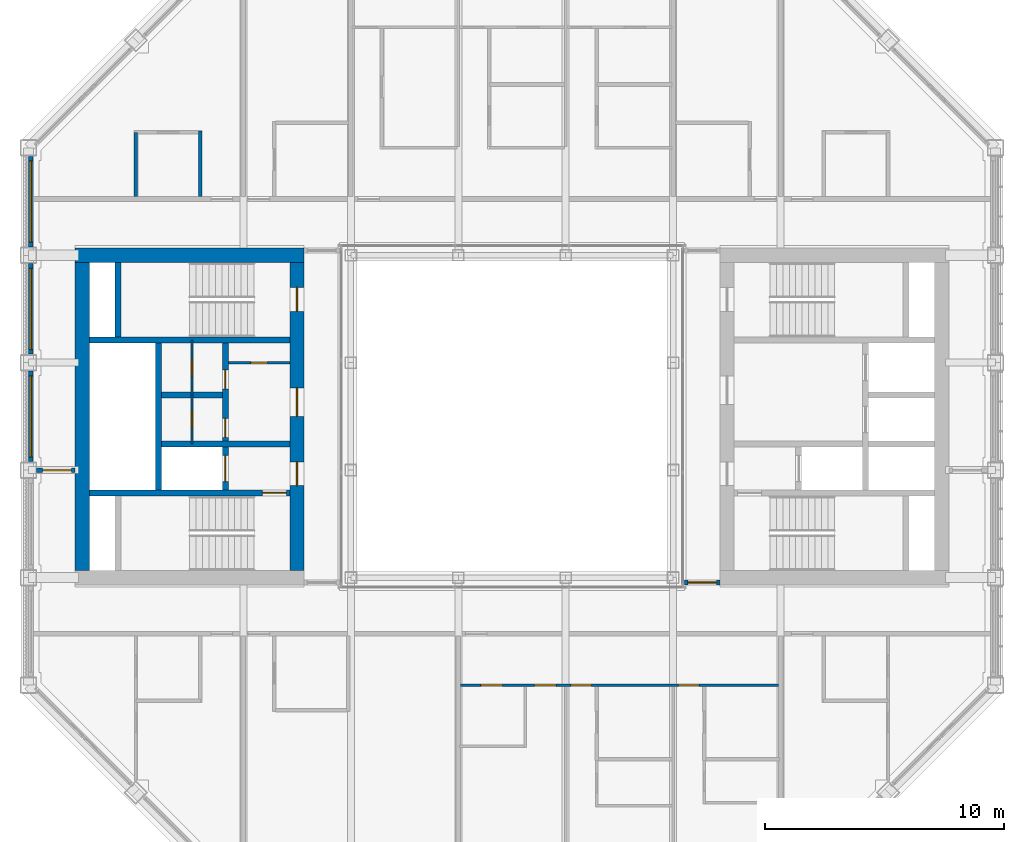
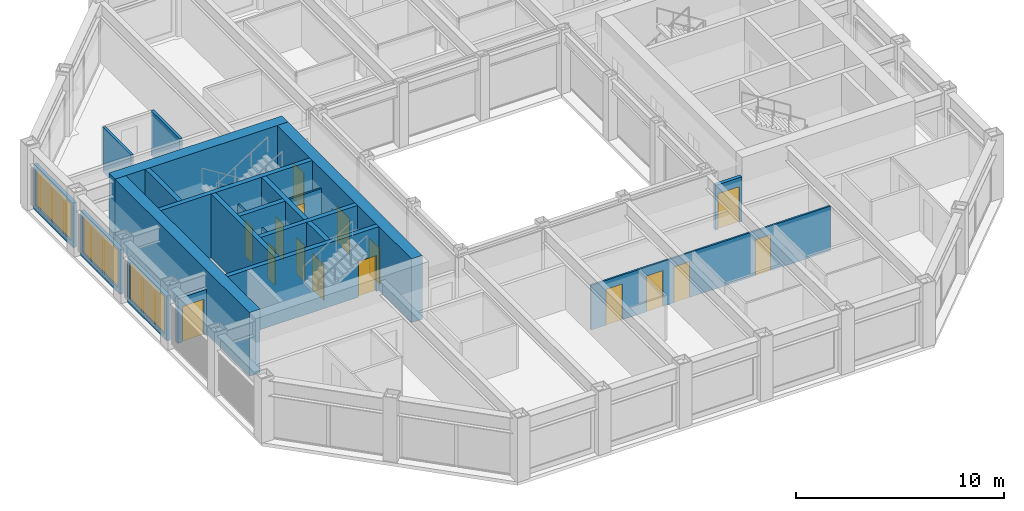
# One storey, part 10 of 17: 21 walls, 16 doors, 3 windows, 19 openings.
"""IFC4 building model written with IfcOpenShell, lengths in metres."""

from ifc_helpers import new_model, si_unit, direction, frame, frame_2d, origin, place, context, subcontext, project, spatial, rectangle, extrude, material, layer, layer_set, type_object, element, fill, save


model = new_model("IFC4")

# Units and contexts
model_context = context("Model", 3, precision=1e-05, world=origin(), true_north=direction((0.0, 1.0)))
body_context = subcontext(model_context, "Body", "Model", "MODEL_VIEW")
ifc_project = project(units=[si_unit("LENGTHUNIT", "METRE"), si_unit("AREAUNIT", "SQUARE_METRE"), si_unit("VOLUMEUNIT", "CUBIC_METRE"), si_unit("PLANEANGLEUNIT", "RADIAN"), si_unit("MASSUNIT", "GRAM", prefix="KILO")], contexts=[model_context])

# Site, building, storey
site_placement = place(None, origin())
site = spatial("IfcSite", under=ifc_project, at=site_placement, CompositionType="ELEMENT")
building_placement = place(site_placement, origin())
building = spatial("IfcBuilding", under=site, at=building_placement, Name="Msasa Ring Tower", CompositionType="ELEMENT")
storey_placement = place(building_placement, frame((0.0, 0.0, 238.300048828125)))
storey = spatial("IfcBuildingStorey", under=building, at=storey_placement, Name="L62", CompositionType="ELEMENT", Elevation=238.300048828125)

# Wall
ifc_material_1 = material(Name="Concrete C60/75", Category="concrete")
ifc_layer_1 = layer(ifc_material_1, 0.60009765625)
ifc_layer_set_1 = layer_set([ifc_layer_1], Name="CW3 CORE WALL 600")
wall_type_1 = type_object("IfcWallType", Name="CW3 CORE WALL 600", PredefinedType="SHEAR", material=ifc_layer_set_1)
wall_1_placement = place(storey_placement, frame((-8.699951171875, 6.75, 0.0), z_axis=(0.0, 0.0, 1.0), x_axis=(-1.0, 0.0, 0.0)))
element("IfcWall", 1, at=wall_1_placement, inside=storey, type_object=wall_type_1, Name="W core wall N L62", PredefinedType="SHEAR", context=body_context, shape_type="SweptSolid", body=[
    extrude(rectangle(XDim=9.60009765625, YDim=0.60009765625, at=frame_2d((4.800048828125, 0.0))), origin(), (0.0, 0.0, 1.0), 3.75),
])

# Wall, openings, doors
wall_2_placement = place(storey_placement, frame((-9.0, -6.449951171875, 0.0), z_axis=(0.0, 0.0, 1.0), x_axis=(0.0, 1.0, 0.0)))
wall_2 = element("IfcWall", 2, at=wall_2_placement, inside=storey, type_object=wall_type_1, Name="W core wall W L62", PredefinedType="SHEAR", context=body_context, shape_type="SweptSolid", body=[
    extrude(rectangle(XDim=12.89990234375, YDim=0.60009765625, at=frame_2d((6.449951171875, 0.0))), origin(), (0.0, 0.0, 1.0), 3.75),
])
opening_1_placement = place(wall_2_placement, frame((3.550048828125, 0.0, 0.0)))
opening_1 = element("IfcOpeningElement", 3, at=opening_1_placement, cuts=wall_2, Name="Opening SD-031", PredefinedType="OPENING", context=body_context, shape_type="SweptSolid", body=[
    extrude(rectangle(XDim=1.0, YDim=2.10009765625, at=frame_2d((0.5, 1.050048828125))), frame((0.0, 0.31005859375, 0.0), z_axis=(0.0, -1.0, 0.0), x_axis=(1.0, 0.0, 0.0)), (0.0, 0.0, 1.0), 0.6201171875),
])
opening_2_placement = place(wall_2_placement, frame((6.449951171875, 0.0, 0.0)))
opening_2 = element("IfcOpeningElement", 4, at=opening_2_placement, cuts=wall_2, Name="Opening SD-026", PredefinedType="OPENING", context=body_context, shape_type="SweptSolid", body=[
    extrude(rectangle(XDim=1.199951171875, YDim=2.10009765625, at=frame_2d((0.60009765625, 1.050048828125))), frame((0.0, 0.31005859375, 0.0), z_axis=(0.0, -1.0, 0.0), x_axis=(1.0, 0.0, 0.0)), (0.0, 0.0, 1.0), 0.6201171875),
])
opening_3_placement = place(wall_2_placement, frame((10.85009765625, 0.0, 0.0)))
opening_3 = element("IfcOpeningElement", 5, at=opening_3_placement, cuts=wall_2, Name="Opening SD-020", PredefinedType="OPENING", context=body_context, shape_type="SweptSolid", body=[
    extrude(rectangle(XDim=1.0, YDim=2.10009765625, at=frame_2d((0.5, 1.050048828125))), frame((0.0, 0.31005859375, 0.0), z_axis=(0.0, -1.0, 0.0), x_axis=(1.0, 0.0, 0.0)), (0.0, 0.0, 1.0), 0.6201171875),
])
ifc_material_2 = material(Name="Timber door leaf in a steel frame", Category="steel")
door_type_1 = type_object("IfcDoorType", Name="D4 LOBBY DOOR 1000x2100", OperationType="SINGLE_SWING_LEFT", PredefinedType="DOOR", material=ifc_material_2)
door_1_placement = place(opening_1_placement, origin())
door_1 = element("IfcDoor", 6, at=door_1_placement, inside=storey, type_object=door_type_1, Name="Door L62-WFFL", OperationType="SINGLE_SWING_LEFT", OverallHeight=2.10009765625, OverallWidth=1.0, PredefinedType="DOOR", context=body_context, shape_type="SweptSolid", body=[
    extrude(rectangle(XDim=1.0, YDim=2.10009765625, at=frame_2d((0.5, 1.050048828125))), frame((0.0, 0.02490234375, 0.0), z_axis=(0.0, -1.0, 0.0), x_axis=(1.0, 0.0, 0.0)), (0.0, 0.0, 1.0), 0.050048828125),
])
fill(opening_1, door_1)
ifc_material_3 = material(Name="Timber door leaf in a steel frame", Category="steel")
door_type_2 = type_object("IfcDoorType", Name="D5 WIDE LOBBY DOOR 1200x2100", OperationType="SINGLE_SWING_LEFT", PredefinedType="DOOR", material=ifc_material_3)
door_2_placement = place(opening_2_placement, origin())
door_2 = element("IfcDoor", 7, at=door_2_placement, inside=storey, type_object=door_type_2, Name="Door L62-WLL", OperationType="SINGLE_SWING_RIGHT", OverallHeight=2.10009765625, OverallWidth=1.199951171875, PredefinedType="DOOR", context=body_context, shape_type="SweptSolid", body=[
    extrude(rectangle(XDim=1.199951171875, YDim=2.10009765625, at=frame_2d((0.60009765625, 1.050048828125))), frame((0.0, 0.02490234375, 0.0), z_axis=(0.0, -1.0, 0.0), x_axis=(1.0, 0.0, 0.0)), (0.0, 0.0, 1.0), 0.050048828125),
])
fill(opening_2, door_2)
ifc_material_4 = material(Name="Timber door leaf in a steel frame", Category="steel")
door_type_3 = type_object("IfcDoorType", Name="D6 STAIR DOOR 1000x2100", OperationType="SINGLE_SWING_LEFT", PredefinedType="DOOR", material=ifc_material_4)
door_3_placement = place(opening_3_placement, origin())
door_3 = element("IfcDoor", 8, at=door_3_placement, inside=storey, type_object=door_type_3, Name="Door L62-WSTB", OperationType="SINGLE_SWING_RIGHT", OverallHeight=2.10009765625, OverallWidth=1.0, PredefinedType="DOOR", context=body_context, shape_type="SweptSolid", body=[
    extrude(rectangle(XDim=1.0, YDim=2.10009765625, at=frame_2d((0.5, 1.050048828125))), frame((0.0, 0.02490234375, 0.0), z_axis=(0.0, -1.0, 0.0), x_axis=(1.0, 0.0, 0.0)), (0.0, 0.0, 1.0), 0.050048828125),
])
fill(opening_3, door_3)

# Wall
wall_3_placement = place(storey_placement, frame((-18.0, -6.449951171875, 0.0), z_axis=(0.0, 0.0, 1.0), x_axis=(0.0, 1.0, 0.0)))
element("IfcWall", 9, at=wall_3_placement, inside=storey, type_object=wall_type_1, Name="W core wall E L62", PredefinedType="SHEAR", context=body_context, shape_type="SweptSolid", body=[
    extrude(rectangle(XDim=12.89990234375, YDim=0.60009765625, at=frame_2d((6.449951171875, 0.0))), origin(), (0.0, 0.0, 1.0), 3.75),
])

# Wall, opening, door
ifc_material_5 = material(Name="Concrete C60/75", Category="concrete")
ifc_layer_2 = layer(ifc_material_5, 0.25)
ifc_layer_set_2 = layer_set([ifc_layer_2], Name="CW4 CORE INNER WALL 250")
wall_type_2 = type_object("IfcWallType", Name="CW4 CORE INNER WALL 250", PredefinedType="SHEAR", material=ifc_layer_set_2)
wall_4_placement = place(storey_placement, frame((-9.300048828125, -3.199951171875, 0.0), z_axis=(0.0, 0.0, 1.0), x_axis=(-1.0, 0.0, 0.0)))
wall_4 = element("IfcWall", 10, at=wall_4_placement, inside=storey, type_object=wall_type_2, Name="W core wall STAIRA L62", PredefinedType="SHEAR", context=body_context, shape_type="SweptSolid", body=[
    extrude(rectangle(XDim=8.39990234375, YDim=0.25, at=frame_2d((4.199951171875, 0.0))), origin(), (0.0, 0.0, 1.0), 3.75),
])
opening_4_placement = place(wall_4_placement, frame((0.14990234375, 0.0, 0.0)))
opening_4 = element("IfcOpeningElement", 11, at=opening_4_placement, cuts=wall_4, Name="Opening SD-033", PredefinedType="OPENING", context=body_context, shape_type="SweptSolid", body=[
    extrude(rectangle(XDim=1.0, YDim=2.10009765625, at=frame_2d((0.5, 1.050048828125))), frame((0.0, 0.135009765625, 0.0), z_axis=(0.0, -1.0, 0.0), x_axis=(1.0, 0.0, 0.0)), (0.0, 0.0, 1.0), 0.27001953125),
])
door_4_placement = place(opening_4_placement, origin())
door_4 = element("IfcDoor", 12, at=door_4_placement, inside=storey, type_object=door_type_3, Name="Door L62-WSTA", OperationType="SINGLE_SWING_LEFT", OverallHeight=2.10009765625, OverallWidth=1.0, PredefinedType="DOOR", context=body_context, shape_type="SweptSolid", body=[
    extrude(rectangle(XDim=1.0, YDim=2.10009765625, at=frame_2d((0.5, 1.050048828125))), frame((0.0, 0.02490234375, 0.0), z_axis=(0.0, -1.0, 0.0), x_axis=(1.0, 0.0, 0.0)), (0.0, 0.0, 1.0), 0.050048828125),
])
fill(opening_4, door_4)

# Walls
wall_5_placement = place(storey_placement, frame((-9.300048828125, 3.199951171875, 0.0), z_axis=(0.0, 0.0, 1.0), x_axis=(-1.0, 0.0, 0.0)))
element("IfcWall", 13, at=wall_5_placement, inside=storey, type_object=wall_type_2, Name="W core wall STAIRB L62", PredefinedType="SHEAR", context=body_context, shape_type="SweptSolid", body=[
    extrude(rectangle(XDim=8.39990234375, YDim=0.25, at=frame_2d((4.199951171875, 0.0))), origin(), (0.0, 0.0, 1.0), 3.75),
])
wall_6_placement = place(storey_placement, frame((-16.5, 3.324951171875, 0.0), z_axis=(0.0, 0.0, 1.0), x_axis=(0.0, 1.0, 0.0)))
element("IfcWall", 14, at=wall_6_placement, inside=storey, type_object=wall_type_2, Name="W core wall RISERB L62", PredefinedType="SHEAR", context=body_context, shape_type="SweptSolid", body=[
    extrude(rectangle(XDim=3.125, YDim=0.25, at=frame_2d((1.5625, 0.0))), origin(), (0.0, 0.0, 1.0), 3.75),
])
wall_7_placement = place(storey_placement, frame((-9.300048828125, -1.14990234375, 0.0), z_axis=(0.0, 0.0, 1.0), x_axis=(-1.0, 0.0, 0.0)))
element("IfcWall", 15, at=wall_7_placement, inside=storey, type_object=wall_type_2, Name="W core wall FFL L62", PredefinedType="SHEAR", context=body_context, shape_type="SweptSolid", body=[
    extrude(rectangle(XDim=5.375, YDim=0.25, at=frame_2d((2.6875, 0.0))), origin(), (0.0, 0.0, 1.0), 3.75),
])

# Wall, openings, doors
wall_8_placement = place(storey_placement, frame((-12.0, -3.074951171875, 0.0), z_axis=(0.0, 0.0, 1.0), x_axis=(0.0, 1.0, 0.0)))
wall_8 = element("IfcWall", 16, at=wall_8_placement, inside=storey, type_object=wall_type_2, Name="W core wall LOBBY L62", PredefinedType="SHEAR", context=body_context, shape_type="SweptSolid", body=[
    extrude(rectangle(XDim=6.14990234375, YDim=0.25, at=frame_2d((3.074951171875, 0.0))), origin(), (0.0, 0.0, 1.0), 3.75),
])
opening_5_placement = place(wall_8_placement, frame((2.199951171875, 0.0, 0.0)))
opening_5 = element("IfcOpeningElement", 17, at=opening_5_placement, cuts=wall_8, Name="Opening SD-028", PredefinedType="OPENING", context=body_context, shape_type="SweptSolid", body=[
    extrude(rectangle(XDim=0.800048828125, YDim=2.10009765625, at=frame_2d((0.39990234375, 1.050048828125))), frame((0.0, 0.135009765625, 0.0), z_axis=(0.0, -1.0, 0.0), x_axis=(1.0, 0.0, 0.0)), (0.0, 0.0, 1.0), 0.27001953125),
])
opening_6_placement = place(wall_8_placement, frame((4.22509765625, 0.0, 0.0)))
opening_6 = element("IfcOpeningElement", 18, at=opening_6_placement, cuts=wall_8, Name="Opening SD-024", PredefinedType="OPENING", context=body_context, shape_type="SweptSolid", body=[
    extrude(rectangle(XDim=0.800048828125, YDim=2.10009765625, at=frame_2d((0.39990234375, 1.050048828125))), frame((0.0, 0.135009765625, 0.0), z_axis=(0.0, -1.0, 0.0), x_axis=(1.0, 0.0, 0.0)), (0.0, 0.0, 1.0), 0.27001953125),
])
opening_7_placement = place(wall_8_placement, frame((0.35009765625, 0.0, 0.0)))
opening_7 = element("IfcOpeningElement", 19, at=opening_7_placement, cuts=wall_8, Name="Opening LD1", PredefinedType="OPENING", context=body_context, shape_type="SweptSolid", body=[
    extrude(rectangle(XDim=1.10009765625, YDim=2.10009765625, at=frame_2d((0.550048828125, 1.050048828125))), frame((0.0, 0.135009765625, 0.0), z_axis=(0.0, -1.0, 0.0), x_axis=(1.0, 0.0, 0.0)), (0.0, 0.0, 1.0), 0.27001953125),
])
ifc_material_6 = material(Name="Timber door leaf in a steel frame", Category="steel")
door_type_4 = type_object("IfcDoorType", Name="D9 NARROW SERVICE DOOR 800x2100", OperationType="SINGLE_SWING_LEFT", PredefinedType="DOOR", material=ifc_material_6)
door_5_placement = place(opening_5_placement, origin())
door_5 = element("IfcDoor", 20, at=door_5_placement, inside=storey, type_object=door_type_4, Name="Door L62-WR1", OperationType="SINGLE_SWING_LEFT", OverallHeight=2.10009765625, OverallWidth=0.800048828125, PredefinedType="DOOR", context=body_context, shape_type="SweptSolid", body=[
    extrude(rectangle(XDim=0.800048828125, YDim=2.10009765625, at=frame_2d((0.39990234375, 1.050048828125))), frame((0.0, 0.02490234375, 0.0), z_axis=(0.0, -1.0, 0.0), x_axis=(1.0, 0.0, 0.0)), (0.0, 0.0, 1.0), 0.050048828125),
])
fill(opening_5, door_5)
door_6_placement = place(opening_6_placement, origin())
door_6 = element("IfcDoor", 21, at=door_6_placement, inside=storey, type_object=door_type_4, Name="Door L62-WR2", OperationType="SINGLE_SWING_RIGHT", OverallHeight=2.10009765625, OverallWidth=0.800048828125, PredefinedType="DOOR", context=body_context, shape_type="SweptSolid", body=[
    extrude(rectangle(XDim=0.800048828125, YDim=2.10009765625, at=frame_2d((0.39990234375, 1.050048828125))), frame((0.0, 0.02490234375, 0.0), z_axis=(0.0, -1.0, 0.0), x_axis=(1.0, 0.0, 0.0)), (0.0, 0.0, 1.0), 0.050048828125),
])
fill(opening_6, door_6)
ifc_material_7 = material(Name="Stainless steel lift landing door", Category="steel")
door_type_5 = type_object("IfcDoorType", Name="LD1 LIFT LANDING DOOR 1100x2100", OperationType="DOUBLE_DOOR_SLIDING", PredefinedType="DOOR", material=ifc_material_7)
door_7_placement = place(opening_7_placement, origin())
door_7 = element("IfcDoor", 22, at=door_7_placement, inside=storey, type_object=door_type_5, Name="Lift landing door FL-W L62", OperationType="DOUBLE_DOOR_SLIDING", OverallHeight=2.10009765625, OverallWidth=1.10009765625, PredefinedType="DOOR", context=body_context, shape_type="SweptSolid", body=[
    extrude(rectangle(XDim=1.10009765625, YDim=2.10009765625, at=frame_2d((0.550048828125, 1.050048828125))), frame((0.0, 0.02490234375, 0.0), z_axis=(0.0, -1.0, 0.0), x_axis=(1.0, 0.0, 0.0)), (0.0, 0.0, 1.0), 0.050048828125),
])
fill(opening_7, door_7)

# Walls
wall_9_placement = place(storey_placement, frame((-14.800048828125, -3.074951171875, 0.0), z_axis=(0.0, 0.0, 1.0), x_axis=(0.0, 1.0, 0.0)))
element("IfcWall", 23, at=wall_9_placement, inside=storey, type_object=wall_type_2, Name="W core wall SHAFT L62", PredefinedType="SHEAR", context=body_context, shape_type="SweptSolid", body=[
    extrude(rectangle(XDim=6.14990234375, YDim=0.25, at=frame_2d((3.074951171875, 0.0))), origin(), (0.0, 0.0, 1.0), 3.75),
])
wall_10_placement = place(storey_placement, frame((-12.125, 0.89990234375, 0.0), z_axis=(0.0, 0.0, 1.0), x_axis=(-1.0, 0.0, 0.0)))
element("IfcWall", 24, at=wall_10_placement, inside=storey, type_object=wall_type_2, Name="W core wall LIFT1 L62", PredefinedType="SHEAR", context=body_context, shape_type="SweptSolid", body=[
    extrude(rectangle(XDim=2.550048828125, YDim=0.25, at=frame_2d((1.27490234375, 0.0))), origin(), (0.0, 0.0, 1.0), 3.75),
])

# Wall, opening, window
ifc_material_8 = material(Name="Terracotta rainscreen on blockwork", Category="masonry")
ifc_layer_3 = layer(ifc_material_8, 0.199951171875)
ifc_layer_set_3 = layer_set([ifc_layer_3], Name="FW1 TERRACOTTA-LINED INFILL BAY WALL 200")
wall_type_3 = type_object("IfcWallType", Name="FW1 TERRACOTTA-LINED INFILL BAY WALL 200", PredefinedType="SOLIDWALL", material=ifc_layer_set_3)
wall_11_placement = place(storey_placement, frame((-20.14990234375, -1.89501953125, 0.0), z_axis=(0.0, 0.0, 1.0), x_axis=(0.0, 1.0, 0.0)))
wall_11 = element("IfcWall", 25, at=wall_11_placement, inside=storey, type_object=wall_type_3, Name="Infill bay wall W L62 23", PredefinedType="SOLIDWALL", context=body_context, shape_type="SweptSolid", body=[
    extrude(rectangle(XDim=3.7900390625, YDim=0.199951171875, at=frame_2d((1.89501953125, 0.0))), origin(), (0.0, 0.0, 1.0), 2.62890625),
])
opening_8_placement = place(wall_11_placement, frame((0.195068359375, 0.0, 0.300048828125)))
opening_8 = element("IfcOpeningElement", 26, at=opening_8_placement, cuts=wall_11, Name="Opening WN3", PredefinedType="OPENING", context=body_context, shape_type="SweptSolid", body=[
    extrude(rectangle(XDim=3.39990234375, YDim=2.178955078125, at=frame_2d((1.699951171875, 1.08935546875))), frame((0.0, 0.10986328125, 0.0), z_axis=(0.0, -1.0, 0.0), x_axis=(1.0, 0.0, 0.0)), (0.0, 0.0, 1.0), 0.219970703125),
])
ifc_material_9 = material(Name="Aluminium frame with clear glass", Category="aluminium")
window_type = type_object("IfcWindowType", Name="WN3 SUITE WINDOW 3400x2179", PartitioningType="SINGLE_PANEL", PredefinedType="WINDOW", material=ifc_material_9)
window_1_placement = place(opening_8_placement, origin())
window_1 = element("IfcWindow", 27, at=window_1_placement, inside=storey, type_object=window_type, Name="Window W L62 23", OverallHeight=2.178955078125, OverallWidth=3.39990234375, PartitioningType="SINGLE_PANEL", PredefinedType="WINDOW", context=body_context, shape_type="SweptSolid", body=[
    extrude(rectangle(XDim=3.39990234375, YDim=2.178955078125, at=frame_2d((1.699951171875, 1.08935546875))), frame((0.0, 0.030029296875, 0.0), z_axis=(0.0, -1.0, 0.0), x_axis=(1.0, 0.0, 0.0)), (0.0, 0.0, 1.0), 0.06005859375),
])
fill(opening_8, window_1)

wall_12_placement = place(storey_placement, frame((-20.14990234375, 2.60498046875, 0.0), z_axis=(0.0, 0.0, 1.0), x_axis=(0.0, 1.0, 0.0)))
wall_12 = element("IfcWall", 28, at=wall_12_placement, inside=storey, type_object=wall_type_3, Name="Infill bay wall W L62 24", PredefinedType="SOLIDWALL", context=body_context, shape_type="SweptSolid", body=[
    extrude(rectangle(XDim=3.7900390625, YDim=0.199951171875, at=frame_2d((1.89501953125, 0.0))), origin(), (0.0, 0.0, 1.0), 2.62890625),
])
opening_9_placement = place(wall_12_placement, frame((0.195068359375, 0.0, 0.300048828125)))
opening_9 = element("IfcOpeningElement", 29, at=opening_9_placement, cuts=wall_12, Name="Opening WN3", PredefinedType="OPENING", context=body_context, shape_type="SweptSolid", body=[
    extrude(rectangle(XDim=3.39990234375, YDim=2.178955078125, at=frame_2d((1.699951171875, 1.08935546875))), frame((0.0, 0.10986328125, 0.0), z_axis=(0.0, -1.0, 0.0), x_axis=(1.0, 0.0, 0.0)), (0.0, 0.0, 1.0), 0.219970703125),
])
window_2_placement = place(opening_9_placement, origin())
window_2 = element("IfcWindow", 30, at=window_2_placement, inside=storey, type_object=window_type, Name="Window W L62 24", OverallHeight=2.178955078125, OverallWidth=3.39990234375, PartitioningType="SINGLE_PANEL", PredefinedType="WINDOW", context=body_context, shape_type="SweptSolid", body=[
    extrude(rectangle(XDim=3.39990234375, YDim=2.178955078125, at=frame_2d((1.699951171875, 1.08935546875))), frame((0.0, 0.030029296875, 0.0), z_axis=(0.0, -1.0, 0.0), x_axis=(1.0, 0.0, 0.0)), (0.0, 0.0, 1.0), 0.06005859375),
])
fill(opening_9, window_2)

wall_13_placement = place(storey_placement, frame((-20.14990234375, 7.10498046875, 0.0), z_axis=(0.0, 0.0, 1.0), x_axis=(0.0, 1.0, 0.0)))
wall_13 = element("IfcWall", 31, at=wall_13_placement, inside=storey, type_object=wall_type_3, Name="Infill bay wall W L62 25", PredefinedType="SOLIDWALL", context=body_context, shape_type="SweptSolid", body=[
    extrude(rectangle(XDim=3.7900390625, YDim=0.199951171875, at=frame_2d((1.89501953125, 0.0))), origin(), (0.0, 0.0, 1.0), 2.62890625),
])
opening_10_placement = place(wall_13_placement, frame((0.195068359375, 0.0, 0.300048828125)))
opening_10 = element("IfcOpeningElement", 32, at=opening_10_placement, cuts=wall_13, Name="Opening WN3", PredefinedType="OPENING", context=body_context, shape_type="SweptSolid", body=[
    extrude(rectangle(XDim=3.39990234375, YDim=2.178955078125, at=frame_2d((1.699951171875, 1.08935546875))), frame((0.0, 0.10986328125, 0.0), z_axis=(0.0, -1.0, 0.0), x_axis=(1.0, 0.0, 0.0)), (0.0, 0.0, 1.0), 0.219970703125),
])
window_3_placement = place(opening_10_placement, origin())
window_3 = element("IfcWindow", 33, at=window_3_placement, inside=storey, type_object=window_type, Name="Window W L62 25", OverallHeight=2.178955078125, OverallWidth=3.39990234375, PartitioningType="SINGLE_PANEL", PredefinedType="WINDOW", context=body_context, shape_type="SweptSolid", body=[
    extrude(rectangle(XDim=3.39990234375, YDim=2.178955078125, at=frame_2d((1.699951171875, 1.08935546875))), frame((0.0, 0.030029296875, 0.0), z_axis=(0.0, -1.0, 0.0), x_axis=(1.0, 0.0, 0.0)), (0.0, 0.0, 1.0), 0.06005859375),
])
fill(opening_10, window_3)

# Wall, opening, door
ifc_material_10 = material(Name="Concrete blockwork", Category="masonry")
ifc_layer_4 = layer(ifc_material_10, 0.199951171875)
ifc_layer_set_4 = layer_set([ifc_layer_4], Name="PT1 CORRIDOR WALL 200")
wall_type_4 = type_object("IfcWallType", Name="PT1 CORRIDOR WALL 200", PredefinedType="PARTITIONING", material=ifc_layer_set_4)
wall_14_placement = place(storey_placement, frame((-19.89990234375, -2.25, 0.0), z_axis=(0.0, 0.0, 1.0), x_axis=(1.0, 0.0, 0.0)))
wall_14 = element("IfcWall", 34, at=wall_14_placement, inside=storey, type_object=wall_type_4, Name="Corridor wall L62-WSW", PredefinedType="PARTITIONING", context=body_context, shape_type="SweptSolid", body=[
    extrude(rectangle(XDim=1.599853515625, YDim=0.199951171875, at=frame_2d((0.7998046875, 0.0))), origin(), (0.0, 0.0, 1.0), 2.62890625),
])
opening_11_placement = place(wall_14_placement, frame((0.25, 0.0, 0.0)))
opening_11 = element("IfcOpeningElement", 35, at=opening_11_placement, cuts=wall_14, Name="Opening SD-029", PredefinedType="OPENING", context=body_context, shape_type="SweptSolid", body=[
    extrude(rectangle(XDim=1.199951171875, YDim=2.10009765625, at=frame_2d((0.60009765625, 1.050048828125))), frame((0.0, 0.10986328125, 0.0), z_axis=(0.0, -1.0, 0.0), x_axis=(1.0, 0.0, 0.0)), (0.0, 0.0, 1.0), 0.219970703125),
])
ifc_material_11 = material(Name="Timber door leaf in a steel frame", Category="steel")
door_type_6 = type_object("IfcDoorType", Name="D25 CORRIDOR PAIR OF SMOKE DOORS 1200x2100", OperationType="DOUBLE_DOOR_DOUBLE_SWING", PredefinedType="DOOR", material=ifc_material_11)
door_8_placement = place(opening_11_placement, origin())
door_8 = element("IfcDoor", 36, at=door_8_placement, inside=storey, type_object=door_type_6, Name="Door L62-WSW", OperationType="DOUBLE_DOOR_DOUBLE_SWING", OverallHeight=2.10009765625, OverallWidth=1.199951171875, PredefinedType="DOOR", context=body_context, shape_type="SweptSolid", body=[
    extrude(rectangle(XDim=1.199951171875, YDim=2.10009765625, at=frame_2d((0.60009765625, 1.050048828125))), frame((0.0, 0.02490234375, 0.0), z_axis=(0.0, -1.0, 0.0), x_axis=(1.0, 0.0, 0.0)), (0.0, 0.0, 1.0), 0.050048828125),
])
fill(opening_11, door_8)

wall_15_placement = place(storey_placement, frame((7.22998046875, -6.949951171875, 0.0), z_axis=(0.0, 0.0, 1.0), x_axis=(1.0, 0.0, 0.0)))
wall_15 = element("IfcWall", 37, at=wall_15_placement, inside=storey, type_object=wall_type_4, Name="Corridor wall L62-SDES", PredefinedType="PARTITIONING", context=body_context, shape_type="SweptSolid", body=[
    extrude(rectangle(XDim=1.469970703125, YDim=0.199951171875, at=frame_2d((0.73486328125, 0.0))), origin(), (0.0, 0.0, 1.0), 2.62890625),
])
opening_12_placement = place(wall_15_placement, frame((0.135009765625, 0.0, 0.0)))
opening_12 = element("IfcOpeningElement", 38, at=opening_12_placement, cuts=wall_15, Name="Opening SD-036", PredefinedType="OPENING", context=body_context, shape_type="SweptSolid", body=[
    extrude(rectangle(XDim=1.199951171875, YDim=2.10009765625, at=frame_2d((0.60009765625, 1.050048828125))), frame((0.0, 0.10986328125, 0.0), z_axis=(0.0, -1.0, 0.0), x_axis=(1.0, 0.0, 0.0)), (0.0, 0.0, 1.0), 0.219970703125),
])
door_9_placement = place(opening_12_placement, origin())
door_9 = element("IfcDoor", 39, at=door_9_placement, inside=storey, type_object=door_type_6, Name="Door L62-SDES", OperationType="DOUBLE_DOOR_DOUBLE_SWING", OverallHeight=2.10009765625, OverallWidth=1.199951171875, PredefinedType="DOOR", context=body_context, shape_type="SweptSolid", body=[
    extrude(rectangle(XDim=1.199951171875, YDim=2.10009765625, at=frame_2d((0.60009765625, 1.050048828125))), frame((0.0, 0.02490234375, 0.0), z_axis=(0.0, -1.0, 0.0), x_axis=(1.0, 0.0, 0.0)), (0.0, 0.0, 1.0), 0.050048828125),
])
fill(opening_12, door_9)

# Wall, openings, doors
ifc_material_12 = material(Name="Gypsum board on steel studs", Category="steel")
ifc_layer_5 = layer(ifc_material_12, 0.10009765625)
ifc_layer_set_5 = layer_set([ifc_layer_5], Name="PT2 STUD PARTITION 100")
wall_type_5 = type_object("IfcWallType", Name="PT2 STUD PARTITION 100", PredefinedType="PARTITIONING", material=ifc_layer_set_5)
wall_16_placement = place(storey_placement, frame((-2.14990234375, -11.25, 0.0), z_axis=(0.0, 0.0, 1.0), x_axis=(1.0, 0.0, 0.0)))
wall_16 = element("IfcWall", 40, at=wall_16_placement, inside=storey, type_object=wall_type_5, Name="Partition L62-JS01HY", PredefinedType="PARTITIONING", context=body_context, shape_type="SweptSolid", body=[
    extrude(rectangle(XDim=13.2998046875, YDim=0.10009765625, at=frame_2d((6.64990234375, 0.0))), origin(), (0.0, 0.0, 1.0), 2.62890625),
])
opening_13_placement = place(wall_16_placement, frame((0.85009765625, 0.0, 0.0)))
opening_13 = element("IfcOpeningElement", 41, at=opening_13_placement, cuts=wall_16, Name="Opening SD-044", PredefinedType="OPENING", context=body_context, shape_type="SweptSolid", body=[
    extrude(rectangle(XDim=0.89990234375, YDim=2.10009765625, at=frame_2d((0.449951171875, 1.050048828125))), frame((0.0, 0.06005859375, 0.0), z_axis=(0.0, -1.0, 0.0), x_axis=(1.0, 0.0, 0.0)), (0.0, 0.0, 1.0), 0.1201171875),
])
opening_14_placement = place(wall_16_placement, frame((3.10009765625, 0.0, 0.0)))
opening_14 = element("IfcOpeningElement", 42, at=opening_14_placement, cuts=wall_16, Name="Opening SD-045", PredefinedType="OPENING", context=body_context, shape_type="SweptSolid", body=[
    extrude(rectangle(XDim=0.89990234375, YDim=2.10009765625, at=frame_2d((0.449951171875, 1.050048828125))), frame((0.0, 0.06005859375, 0.0), z_axis=(0.0, -1.0, 0.0), x_axis=(1.0, 0.0, 0.0)), (0.0, 0.0, 1.0), 0.1201171875),
])
opening_15_placement = place(wall_16_placement, frame((4.625, 0.0, 0.0)))
opening_15 = element("IfcOpeningElement", 43, at=opening_15_placement, cuts=wall_16, Name="Opening SD-046", PredefinedType="OPENING", context=body_context, shape_type="SweptSolid", body=[
    extrude(rectangle(XDim=0.85009765625, YDim=2.10009765625, at=frame_2d((0.425048828125, 1.050048828125))), frame((0.0, 0.06005859375, 0.0), z_axis=(0.0, -1.0, 0.0), x_axis=(1.0, 0.0, 0.0)), (0.0, 0.0, 1.0), 0.1201171875),
])
opening_16_placement = place(wall_16_placement, frame((9.125, 0.0, 0.0)))
opening_16 = element("IfcOpeningElement", 44, at=opening_16_placement, cuts=wall_16, Name="Opening SD-047", PredefinedType="OPENING", context=body_context, shape_type="SweptSolid", body=[
    extrude(rectangle(XDim=0.85009765625, YDim=2.10009765625, at=frame_2d((0.425048828125, 1.050048828125))), frame((0.0, 0.06005859375, 0.0), z_axis=(0.0, -1.0, 0.0), x_axis=(1.0, 0.0, 0.0)), (0.0, 0.0, 1.0), 0.1201171875),
])
ifc_material_13 = material(Name="Timber door leaf in a steel frame", Category="steel")
door_type_7 = type_object("IfcDoorType", Name="D14 BEDROOM DOOR 850x2100", OperationType="SINGLE_SWING_LEFT", PredefinedType="DOOR", material=ifc_material_13)
door_10_placement = place(opening_15_placement, origin())
door_10 = element("IfcDoor", 45, at=door_10_placement, inside=storey, type_object=door_type_7, Name="Door L62-JS01R1", OperationType="SINGLE_SWING_LEFT", OverallHeight=2.10009765625, OverallWidth=0.85009765625, PredefinedType="DOOR", context=body_context, shape_type="SweptSolid", body=[
    extrude(rectangle(XDim=0.85009765625, YDim=2.10009765625, at=frame_2d((0.425048828125, 1.050048828125))), frame((0.0, 0.02490234375, 0.0), z_axis=(0.0, -1.0, 0.0), x_axis=(1.0, 0.0, 0.0)), (0.0, 0.0, 1.0), 0.050048828125),
])
fill(opening_15, door_10)
door_11_placement = place(opening_16_placement, origin())
door_11 = element("IfcDoor", 46, at=door_11_placement, inside=storey, type_object=door_type_7, Name="Door L62-JS01R2", OperationType="SINGLE_SWING_RIGHT", OverallHeight=2.10009765625, OverallWidth=0.85009765625, PredefinedType="DOOR", context=body_context, shape_type="SweptSolid", body=[
    extrude(rectangle(XDim=0.85009765625, YDim=2.10009765625, at=frame_2d((0.425048828125, 1.050048828125))), frame((0.0, 0.02490234375, 0.0), z_axis=(0.0, -1.0, 0.0), x_axis=(1.0, 0.0, 0.0)), (0.0, 0.0, 1.0), 0.050048828125),
])
fill(opening_16, door_11)
ifc_material_14 = material(Name="Timber door leaf in a steel frame", Category="steel")
door_type_8 = type_object("IfcDoorType", Name="D22 INTERNAL HALL DOOR 900x2100", OperationType="SINGLE_SWING_LEFT", PredefinedType="DOOR", material=ifc_material_14)
door_12_placement = place(opening_13_placement, origin())
door_12 = element("IfcDoor", 47, at=door_12_placement, inside=storey, type_object=door_type_8, Name="Door L62-JS01K", OperationType="SINGLE_SWING_LEFT", OverallHeight=2.10009765625, OverallWidth=0.89990234375, PredefinedType="DOOR", context=body_context, shape_type="SweptSolid", body=[
    extrude(rectangle(XDim=0.89990234375, YDim=2.10009765625, at=frame_2d((0.449951171875, 1.050048828125))), frame((0.0, 0.02490234375, 0.0), z_axis=(0.0, -1.0, 0.0), x_axis=(1.0, 0.0, 0.0)), (0.0, 0.0, 1.0), 0.050048828125),
])
fill(opening_13, door_12)
door_13_placement = place(opening_14_placement, origin())
door_13 = element("IfcDoor", 48, at=door_13_placement, inside=storey, type_object=door_type_8, Name="Door L62-JS01L", OperationType="SINGLE_SWING_LEFT", OverallHeight=2.10009765625, OverallWidth=0.89990234375, PredefinedType="DOOR", context=body_context, shape_type="SweptSolid", body=[
    extrude(rectangle(XDim=0.89990234375, YDim=2.10009765625, at=frame_2d((0.449951171875, 1.050048828125))), frame((0.0, 0.02490234375, 0.0), z_axis=(0.0, -1.0, 0.0), x_axis=(1.0, 0.0, 0.0)), (0.0, 0.0, 1.0), 0.050048828125),
])
fill(opening_14, door_13)

# Wall, opening, door
wall_17_placement = place(storey_placement, frame((-11.875, 2.25, 0.0), z_axis=(0.0, 0.0, 1.0), x_axis=(1.0, 0.0, 0.0)))
wall_17 = element("IfcWall", 49, at=wall_17_placement, inside=storey, type_object=wall_type_5, Name="Partition L62-WCP", PredefinedType="PARTITIONING", context=body_context, shape_type="SweptSolid", body=[
    extrude(rectangle(XDim=2.574951171875, YDim=0.10009765625, at=frame_2d((1.28759765625, 0.0))), origin(), (0.0, 0.0, 1.0), 2.62890625),
])
opening_17_placement = place(wall_17_placement, frame((0.9375, 0.0, 0.0)))
opening_17 = element("IfcOpeningElement", 50, at=opening_17_placement, cuts=wall_17, Name="Opening SD-022", PredefinedType="OPENING", context=body_context, shape_type="SweptSolid", body=[
    extrude(rectangle(XDim=0.699951171875, YDim=2.10009765625, at=frame_2d((0.35009765625, 1.050048828125))), frame((0.0, 0.06005859375, 0.0), z_axis=(0.0, -1.0, 0.0), x_axis=(1.0, 0.0, 0.0)), (0.0, 0.0, 1.0), 0.1201171875),
])
ifc_material_15 = material(Name="Timber door leaf in a steel frame", Category="steel")
door_type_9 = type_object("IfcDoorType", Name="D32 INTERNAL NARROW STORE DOOR 700x2100", OperationType="SINGLE_SWING_LEFT", PredefinedType="DOOR", material=ifc_material_15)
door_14_placement = place(opening_17_placement, origin())
door_14 = element("IfcDoor", 51, at=door_14_placement, inside=storey, type_object=door_type_9, Name="Door L62-WCP", OperationType="SINGLE_SWING_LEFT", OverallHeight=2.10009765625, OverallWidth=0.699951171875, PredefinedType="DOOR", context=body_context, shape_type="SweptSolid", body=[
    extrude(rectangle(XDim=0.699951171875, YDim=2.10009765625, at=frame_2d((0.35009765625, 1.050048828125))), frame((0.0, 0.02490234375, 0.0), z_axis=(0.0, -1.0, 0.0), x_axis=(1.0, 0.0, 0.0)), (0.0, 0.0, 1.0), 0.050048828125),
])
fill(opening_17, door_14)

wall_18_placement = place(storey_placement, frame((-13.39990234375, -1.14990234375, 0.0), z_axis=(0.0, 0.0, 1.0), x_axis=(0.0, 1.0, 0.0)))
wall_18 = element("IfcWall", 52, at=wall_18_placement, inside=storey, type_object=wall_type_5, Name="Partition L62-WRP1", PredefinedType="PARTITIONING", context=body_context, shape_type="SweptSolid", body=[
    extrude(rectangle(XDim=2.0498046875, YDim=0.10009765625, at=frame_2d((1.02490234375, 0.0))), origin(), (0.0, 0.0, 1.0), 2.62890625),
])
opening_18_placement = place(wall_18_placement, frame((0.675048828125, 0.0, 0.0)))
opening_18 = element("IfcOpeningElement", 53, at=opening_18_placement, cuts=wall_18, Name="Opening SD-027", PredefinedType="OPENING", context=body_context, shape_type="SweptSolid", body=[
    extrude(rectangle(XDim=0.699951171875, YDim=2.10009765625, at=frame_2d((0.35009765625, 1.050048828125))), frame((0.0, 0.06005859375, 0.0), z_axis=(0.0, -1.0, 0.0), x_axis=(1.0, 0.0, 0.0)), (0.0, 0.0, 1.0), 0.1201171875),
])
door_15_placement = place(opening_18_placement, origin())
door_15 = element("IfcDoor", 54, at=door_15_placement, inside=storey, type_object=door_type_9, Name="Door L62-WRC1", OperationType="SINGLE_SWING_LEFT", OverallHeight=2.10009765625, OverallWidth=0.699951171875, PredefinedType="DOOR", context=body_context, shape_type="SweptSolid", body=[
    extrude(rectangle(XDim=0.699951171875, YDim=2.10009765625, at=frame_2d((0.35009765625, 1.050048828125))), frame((0.0, 0.02490234375, 0.0), z_axis=(0.0, -1.0, 0.0), x_axis=(1.0, 0.0, 0.0)), (0.0, 0.0, 1.0), 0.050048828125),
])
fill(opening_18, door_15)

wall_19_placement = place(storey_placement, frame((-13.39990234375, 0.89990234375, 0.0), z_axis=(0.0, 0.0, 1.0), x_axis=(0.0, 1.0, 0.0)))
wall_19 = element("IfcWall", 55, at=wall_19_placement, inside=storey, type_object=wall_type_5, Name="Partition L62-WRP2", PredefinedType="PARTITIONING", context=body_context, shape_type="SweptSolid", body=[
    extrude(rectangle(XDim=2.300048828125, YDim=0.10009765625, at=frame_2d((1.14990234375, 0.0))), origin(), (0.0, 0.0, 1.0), 2.62890625),
])
opening_19_placement = place(wall_19_placement, frame((0.800048828125, 0.0, 0.0)))
opening_19 = element("IfcOpeningElement", 56, at=opening_19_placement, cuts=wall_19, Name="Opening SD-023", PredefinedType="OPENING", context=body_context, shape_type="SweptSolid", body=[
    extrude(rectangle(XDim=0.699951171875, YDim=2.10009765625, at=frame_2d((0.35009765625, 1.050048828125))), frame((0.0, 0.06005859375, 0.0), z_axis=(0.0, -1.0, 0.0), x_axis=(1.0, 0.0, 0.0)), (0.0, 0.0, 1.0), 0.1201171875),
])
door_16_placement = place(opening_19_placement, origin())
door_16 = element("IfcDoor", 57, at=door_16_placement, inside=storey, type_object=door_type_9, Name="Door L62-WRC2", OperationType="SINGLE_SWING_LEFT", OverallHeight=2.10009765625, OverallWidth=0.699951171875, PredefinedType="DOOR", context=body_context, shape_type="SweptSolid", body=[
    extrude(rectangle(XDim=0.699951171875, YDim=2.10009765625, at=frame_2d((0.35009765625, 1.050048828125))), frame((0.0, 0.02490234375, 0.0), z_axis=(0.0, -1.0, 0.0), x_axis=(1.0, 0.0, 0.0)), (0.0, 0.0, 1.0), 0.050048828125),
])
fill(opening_19, door_16)

# Walls
ifc_material_16 = material(Name="Moisture-resistant board on steel studs with a concealed cistern and pipe void, tiled", Category="steel")
ifc_layer_6 = layer(ifc_material_16, 0.14990234375)
ifc_layer_set_6 = layer_set([ifc_layer_6], Name="PT4 BATHROOM WET WALL 150")
wall_type_6 = type_object("IfcWallType", Name="PT4 BATHROOM WET WALL 150", PredefinedType="PARTITIONING", material=ifc_layer_set_6)
wall_20_placement = place(storey_placement, frame((-13.050048828125, 9.199951171875, 0.0), z_axis=(0.0, 0.0, 1.0), x_axis=(0.0, 1.0, 0.0)))
element("IfcWall", 58, at=wall_20_placement, inside=storey, type_object=wall_type_6, Name="Partition L62-CSNWBX", PredefinedType="PARTITIONING", context=body_context, shape_type="SweptSolid", body=[
    extrude(rectangle(XDim=2.75, YDim=0.14990234375, at=frame_2d((1.375, 0.0))), origin(), (0.0, 0.0, 1.0), 2.62890625),
])
wall_21_placement = place(storey_placement, frame((-15.75, 9.199951171875, 0.0), z_axis=(0.0, 0.0, 1.0), x_axis=(0.0, 1.0, 0.0)))
element("IfcWall", 59, at=wall_21_placement, inside=storey, type_object=wall_type_6, Name="Partition L62-CSNWBE", PredefinedType="PARTITIONING", context=body_context, shape_type="SweptSolid", body=[
    extrude(rectangle(XDim=2.699951171875, YDim=0.14990234375, at=frame_2d((1.35009765625, 0.0))), origin(), (0.0, 0.0, 1.0), 2.62890625),
])

save(model, "model.ifc")
